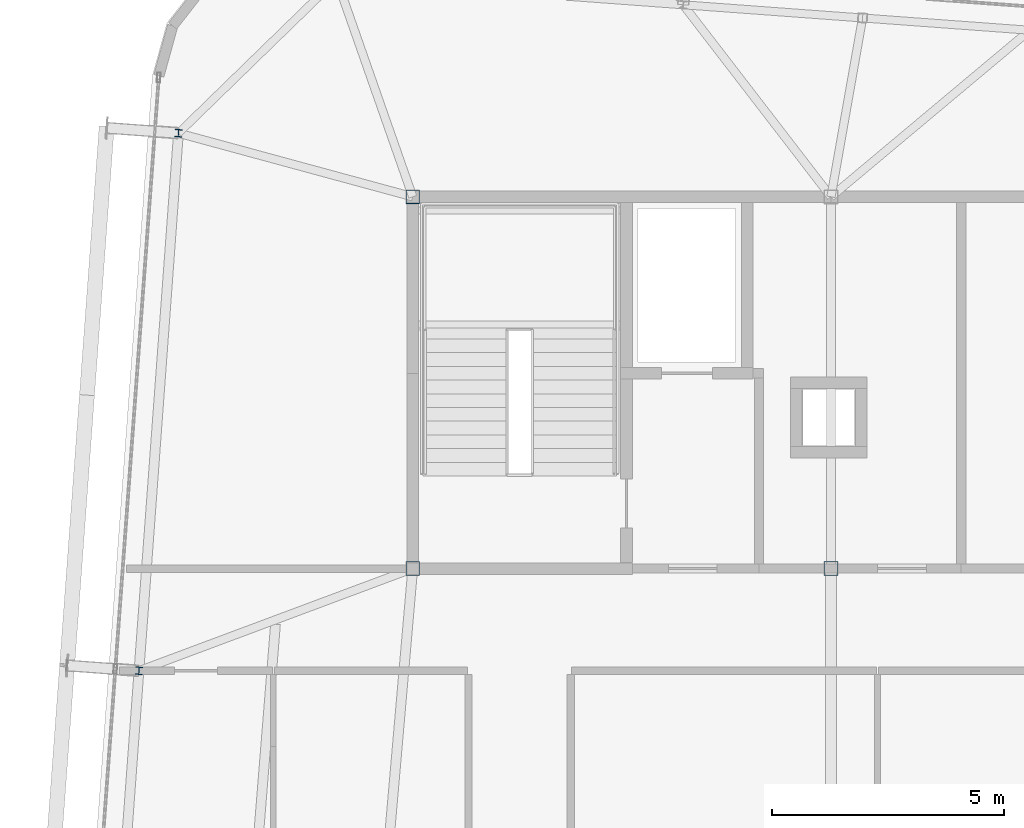
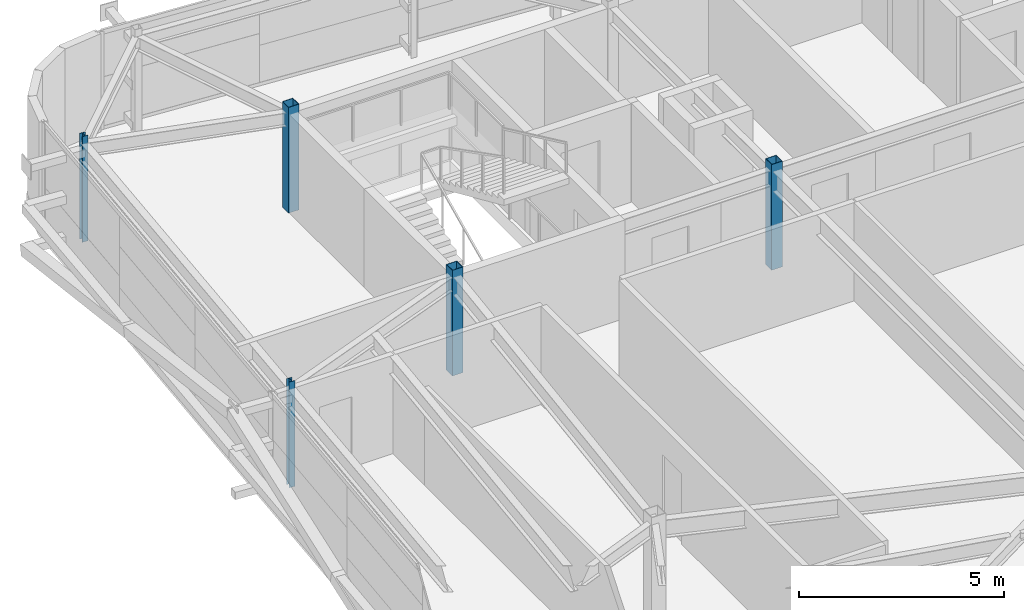
# One storey, part 3 of 37: 5 columns.
"""IFC4 building model written with IfcOpenShell, lengths in metres."""

from ifc_helpers import new_model, si_unit, direction, frame, origin, origin_2d, place, context, subcontext, project, spatial, hollow_rectangle, i_section, extrude, source, transform, mapped, material, material_profile, profile_set, type_object, element, save


model = new_model("IFC4")

# Units and contexts
model_context = context("Model", 3, precision=1e-05, world=origin(), true_north=direction((0.0, 1.0)))
body_context = subcontext(model_context, "Body", "Model", "MODEL_VIEW")
ifc_project = project(units=[si_unit("LENGTHUNIT", "METRE"), si_unit("AREAUNIT", "SQUARE_METRE"), si_unit("VOLUMEUNIT", "CUBIC_METRE"), si_unit("PLANEANGLEUNIT", "RADIAN"), si_unit("MASSUNIT", "GRAM", prefix="KILO")], contexts=[model_context])

# Site, building, storey
site_placement = place(None, origin())
site = spatial("IfcSite", under=ifc_project, at=site_placement, CompositionType="ELEMENT")
building_placement = place(site_placement, origin())
building = spatial("IfcBuilding", under=site, at=building_placement, Name="Taldren Reach Tower", CompositionType="ELEMENT")
storey_placement = place(building_placement, frame((0.0, 0.0, 211.39990234375)))
storey = spatial("IfcBuildingStorey", under=building, at=storey_placement, Name="L64", CompositionType="ELEMENT", Elevation=211.39990234375)

# Columns
ifc_material_1 = material(Name="Steel Gr 450 (C450L0)", Category="steel")
ifc_material_profile_1 = material_profile(ifc_material_1, hollow_rectangle(XDim=0.300048828125, YDim=0.300048828125, WallThickness=0.012451171875, at=origin_2d()), Name="300x300x12.5SHS")
ifc_profile_set_1 = profile_set([ifc_material_profile_1], Name="Steel Gr 450 (C450L0)")
column_type_1 = type_object("IfcColumnType", Name="COL-SHS300", PredefinedType="COLUMN", material=ifc_profile_set_1)
shared_shape_1 = source(origin(), body_context, "Body", "SweptSolid", [
    extrude(hollow_rectangle(XDim=0.300048828125, YDim=0.300048828125, WallThickness=0.012451171875, at=origin_2d()), origin(), (0.0, 0.0, 1.0), 3.150146484375),
])
for number, where, z_axis, x_axis, name in (
    (1, (19.0, 24.0, 0.0), (0.0, 0.0, 1.0), (1.0, 0.0, 0.0), "Mega column MC-C1 L64"),
    (2, (28.0, 24.0, 0.0), (0.0, 0.0, 1.0), (1.0, 0.0, 0.0), "Mega column MC-C2 L64"),
    (3, (19.0, 32.0, 0.0), (0.0, 0.0, 1.0), (1.0, 0.0, 0.0), "Mega column MC-C5 L64"),
):
    element("IfcColumn", number, at=place(storey_placement, frame(where, z_axis=z_axis, x_axis=x_axis)), inside=storey, type_object=column_type_1, Name=name, PredefinedType="COLUMN", context=body_context, shape_type="MappedRepresentation", body=[
        mapped(shared_shape_1, transform((0.0, 0.0, 0.0), scale=1.0)),
    ])
ifc_material_2 = material(Name="Steel Gr 350 (350PLUS)", Category="steel")
ifc_material_profile_2 = material_profile(ifc_material_2, i_section(OverallWidth=0.154052734375, OverallDepth=0.162109375, WebThickness=0.008056640625, FlangeThickness=0.011474609375, at=origin_2d()), Name="150UC37.2")
ifc_profile_set_2 = profile_set([ifc_material_profile_2], Name="Steel Gr 350 (350PLUS)")
column_type_2 = type_object("IfcColumnType", Name="COL-UC150", PredefinedType="COLUMN", material=ifc_profile_set_2)
shared_shape_2 = source(origin(), body_context, "Body", "SweptSolid", [
    extrude(i_section(OverallWidth=0.154052734375, OverallDepth=0.162109375, WebThickness=0.008056640625, FlangeThickness=0.011474609375, at=origin_2d()), origin(), (0.0, 0.0, 1.0), 3.150146484375),
])
for number, where, z_axis, x_axis, name in (
    (4, (13.108642578125, 21.80029296875, 0.0), (0.0, 0.0, 1.0), (0.997314477224, -0.073238197128, 0.0), "Block B5 perimeter column W2 L64"),
    (5, (13.958251953125, 33.369140625, 0.0), (0.0, 0.0, 1.0), (0.997314477224, -0.073238197128, 0.0), "Block B5 perimeter column W3 L64"),
):
    element("IfcColumn", number, at=place(storey_placement, frame(where, z_axis=z_axis, x_axis=x_axis)), inside=storey, type_object=column_type_2, Name=name, PredefinedType="COLUMN", context=body_context, shape_type="MappedRepresentation", body=[
        mapped(shared_shape_2, transform((0.0, 0.0, 0.0), scale=1.0)),
    ])

save(model, "model.ifc")
